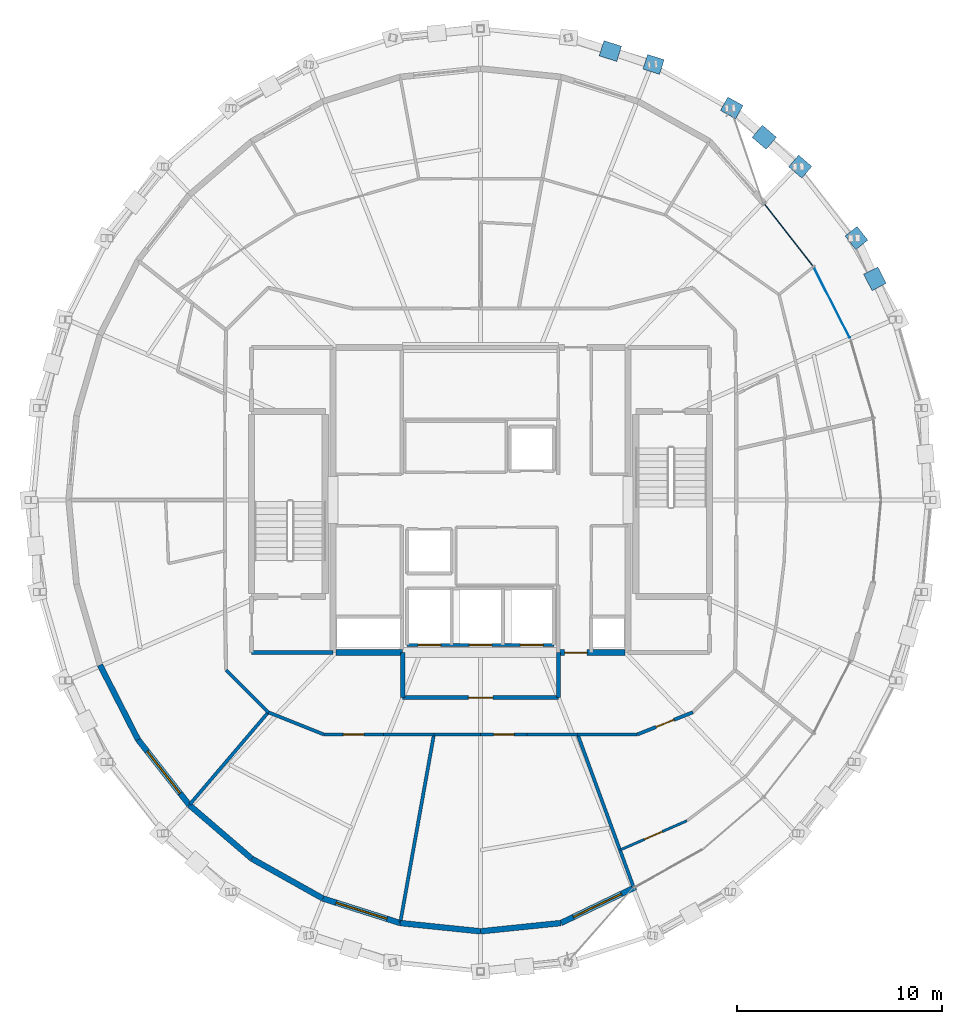
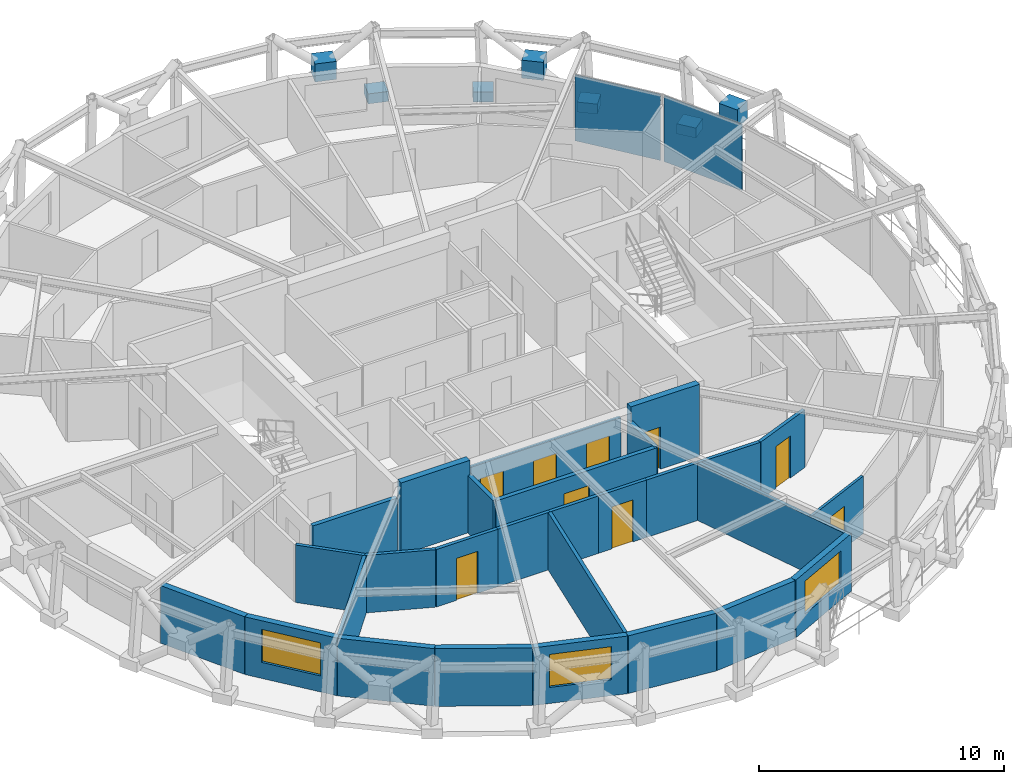
# One storey, part 10 of 15: 28 walls, 9 doors, 9 plates, 3 windows, 12 openings, 1 element without a shape of its own.
"""IFC4 building model written with IfcOpenShell, lengths in metres."""

from ifc_helpers import new_model, si_unit, direction, frame, frame_2d, origin, origin_2d, place, context, subcontext, project, spatial, rectangle, extrude, material, layer, layer_set, type_object, element, fill, aggregate, save


model = new_model("IFC4")

# Units and contexts
model_context = context("Model", 3, precision=1e-05, world=origin(), true_north=direction((0.0, 1.0)))
body_context = subcontext(model_context, "Body", "Model", "MODEL_VIEW")
ifc_project = project(units=[si_unit("LENGTHUNIT", "METRE"), si_unit("AREAUNIT", "SQUARE_METRE"), si_unit("VOLUMEUNIT", "CUBIC_METRE"), si_unit("PLANEANGLEUNIT", "RADIAN"), si_unit("MASSUNIT", "GRAM", prefix="KILO")], contexts=[model_context])

# Site, building, storey
site_placement = place(None, origin())
site = spatial("IfcSite", under=ifc_project, at=site_placement, CompositionType="ELEMENT")
building_placement = place(site_placement, origin())
building = spatial("IfcBuilding", under=site, at=building_placement, Name="Veldorina Hangang Commons", CompositionType="ELEMENT")
storey_placement = place(building_placement, frame((0.0, 0.0, 261.60009765625)))
storey = spatial("IfcBuildingStorey", under=building, at=storey_placement, Name="L68", CompositionType="ELEMENT", Elevation=261.60009765625)

# Curtain wall, plates
ifc_material_1 = material(Name="Glass Low-E Selective", Category="glass")
ifc_layer_1 = layer(ifc_material_1, 0.179931640625)
ifc_layer_set_1 = layer_set([ifc_layer_1], Name="Glass Low-E Selective")
curtain_wall_type = type_object("IfcCurtainWallType", Name="CW-SYS-Z3", PredefinedType="NOTDEFINED", material=ifc_layer_set_1)
curtain_wall_placement = place(storey_placement, origin())
curtain_wall = element("IfcCurtainWall", 1, at=curtain_wall_placement, inside=storey, type_object=curtain_wall_type, Name="L68 unitised curtain wall CW-L68-R2", PredefinedType="NOTDEFINED")
ifc_material_2 = material(Name="Glass Low-E Triple IGU", Category="glass")
ifc_layer_2 = layer(ifc_material_2, 0.0400390625)
ifc_layer_set_2 = layer_set([ifc_layer_2], Name="Glass Low-E Triple IGU")
plate_type_1 = type_object("IfcPlateType", Name="CW-PNL-VIS", PredefinedType="CURTAIN_PANEL", material=ifc_layer_set_2)
plate_1_placement = place(storey_placement, frame((49.1630859375, 33.61767578125, 0.014892578125), z_axis=(0.0, 0.0, 1.0), x_axis=(-0.454223749141, 0.890887639221, 0.0)))
plate_1 = element("IfcPlate", 2, at=plate_1_placement, type_object=plate_type_1, Name="CW-L68-R2 facet 4 glazed vision panel", PredefinedType="CURTAIN_PANEL", context=body_context, shape_type="SweptSolid", body=[
    extrude(rectangle(XDim=3.798583984375, YDim=0.0400390625, at=origin_2d()), origin(), (0.0, 0.0, 1.0), 3.2900390625),
])
plate_2_placement = place(storey_placement, frame((47.04345703125, 36.943115234375, 0.014892578125), z_axis=(0.0, 0.0, 1.0), x_axis=(-0.616431370541, 0.787408639407, 0.0)))
plate_2 = element("IfcPlate", 3, at=plate_2_placement, type_object=plate_type_1, Name="CW-L68-R2 facet 5 glazed vision panel", PredefinedType="CURTAIN_PANEL", context=body_context, shape_type="SweptSolid", body=[
    extrude(rectangle(XDim=3.765380859375, YDim=0.0400390625, at=origin_2d()), origin(), (0.0, 0.0, 1.0), 3.2900390625),
])
aggregate(curtain_wall, [plate_1, plate_2])

# Plates
ifc_material_3 = material(Name="Steel SM460-TMC", Category="steel")
ifc_layer_3 = layer(ifc_material_3, 0.035888671875)
ifc_layer_set_3 = layer_set([ifc_layer_3], Name="Steel SM460-TMC")
plate_type_2 = type_object("IfcPlateType", Name="PL-STAR-36", PredefinedType="USERDEFINED", material=ifc_layer_set_3)
plate_3_placement = place(storey_placement, frame((51.257080078125, 34.799560546875, 1.3525390625), z_axis=(0.0, 0.0, 1.0), x_axis=(-0.456104154477, 0.889926401602, 0.0)))
element("IfcPlate", 4, at=plate_3_placement, inside=storey, type_object=plate_type_2, Name="L68 diagrid X-crossing star-node gusset plate 02", ObjectType="GUSSET PLATE", PredefinedType="USERDEFINED", context=body_context, shape_type="SweptSolid", body=[
    extrude(rectangle(XDim=0.89990234375, YDim=0.780029296875, at=origin_2d()), origin(), (0.0, 0.0, 1.0), 0.89990234375),
])
for number, where, z_axis, x_axis, name in (
    (5, (50.354736328125, 36.789794921875, -0.090087890625), (0.0, 0.0, 1.0), (-0.618422111054, 0.785846099793, 0.0), "L68 diagrid star-node gusset plate 03"),
    (6, (47.609619140625, 40.2783203125, -0.090087890625), (0.0, 0.0, 1.0), (-0.759736797162, 0.650230727541, 0.0), "L68 diagrid star-node gusset plate 04"),
):
    element("IfcPlate", number, at=place(storey_placement, frame(where, z_axis=z_axis, x_axis=x_axis)), inside=storey, type_object=plate_type_2, Name=name, ObjectType="GUSSET PLATE", PredefinedType="USERDEFINED", context=body_context, shape_type="SweptSolid", body=[
        extrude(rectangle(XDim=0.85009765625, YDim=0.75, at=origin_2d()), origin(), (0.0, 0.0, 1.0), 0.5),
    ])
plate_4_placement = place(storey_placement, frame((45.852783203125, 41.710205078125, 1.356689453125), z_axis=(0.0, 0.0, 1.0), x_axis=(-0.759736797162, 0.650230727541, 0.0)))
element("IfcPlate", 7, at=plate_4_placement, inside=storey, type_object=plate_type_2, Name="L68 diagrid X-crossing star-node gusset plate 04", ObjectType="GUSSET PLATE", PredefinedType="USERDEFINED", context=body_context, shape_type="SweptSolid", body=[
    extrude(rectangle(XDim=0.89990234375, YDim=0.780029296875, at=origin_2d()), origin(), (0.0, 0.0, 1.0), 0.89990234375),
])
for number, where, z_axis, x_axis, name in (
    (8, (44.264404296875, 43.141357421875, -0.090087890625), (0.0, 0.0, 1.0), (-0.873466477048, 0.486884291668, 0.0), "L68 diagrid star-node gusset plate 05"),
    (9, (40.44775390625, 45.268798828125, -0.090087890625), (0.0, 0.0, 1.0), (-0.953427854537, 0.301621163369, 0.0), "L68 diagrid star-node gusset plate 06"),
):
    element("IfcPlate", number, at=place(storey_placement, frame(where, z_axis=z_axis, x_axis=x_axis)), inside=storey, type_object=plate_type_2, Name=name, ObjectType="GUSSET PLATE", PredefinedType="USERDEFINED", context=body_context, shape_type="SweptSolid", body=[
        extrude(rectangle(XDim=0.85009765625, YDim=0.75, at=origin_2d()), origin(), (0.0, 0.0, 1.0), 0.5),
    ])
plate_5_placement = place(storey_placement, frame((38.337890625, 45.921630859375, 1.3603515625), z_axis=(0.0, 0.0, 1.0), x_axis=(-0.953427854537, 0.301621163369, 0.0)))
element("IfcPlate", 10, at=plate_5_placement, inside=storey, type_object=plate_type_2, Name="L68 diagrid X-crossing star-node gusset plate 06", ObjectType="GUSSET PLATE", PredefinedType="USERDEFINED", context=body_context, shape_type="SweptSolid", body=[
    extrude(rectangle(XDim=0.89990234375, YDim=0.780029296875, at=origin_2d()), origin(), (0.0, 0.0, 1.0), 0.89990234375),
])

# Wall
ifc_material_4 = material(Name="Concrete C50/60", Category="concrete")
ifc_layer_4 = layer(ifc_material_4, 0.300048828125)
ifc_layer_set_4 = layer_set([ifc_layer_4], Name="Concrete C50/60")
wall_type_1 = type_object("IfcWallType", Name="CW-RC300-C50", PredefinedType="SHEAR", material=ifc_layer_set_4)
wall_1_placement = place(storey_placement, frame((24.949951171875, 16.550048828125, 0.0), z_axis=(0.0, 0.0, 1.0), x_axis=(1.0, 0.0, 0.0)))
element("IfcWall", 11, at=wall_1_placement, inside=storey, type_object=wall_type_1, Name="L68 south-west core shear wall", PredefinedType="SHEAR", context=body_context, shape_type="SweptSolid", body=[
    extrude(rectangle(XDim=3.25, YDim=0.300048828125, at=frame_2d((1.625, 0.0))), origin(), (0.0, 0.0, 1.0), 3.599853515625),
])

# Wall, opening, door
wall_2_placement = place(storey_placement, frame((35.800048828125, 16.550048828125, 0.0), z_axis=(0.0, 0.0, 1.0), x_axis=(1.0, 0.0, 0.0)))
wall_2 = element("IfcWall", 12, at=wall_2_placement, inside=storey, type_object=wall_type_1, Name="L68 south-east core shear wall", PredefinedType="SHEAR", context=body_context, shape_type="SweptSolid", body=[
    extrude(rectangle(XDim=3.25, YDim=0.300048828125, at=frame_2d((1.625, 0.0))), origin(), (0.0, 0.0, 1.0), 3.599853515625),
])
opening_1_placement = place(wall_2_placement, frame((0.300048828125, 0.0, 0.0)))
opening_1 = element("IfcOpeningElement", 13, at=opening_1_placement, cuts=wall_2, Name="Opening D-08", PredefinedType="OPENING", context=body_context, shape_type="SweptSolid", body=[
    extrude(rectangle(XDim=1.10009765625, YDim=2.10009765625, at=frame_2d((0.550048828125, 1.050048828125))), frame((0.0, 0.16015625, 0.0), z_axis=(0.0, -1.0, 0.0), x_axis=(1.0, 0.0, 0.0)), (0.0, 0.0, 1.0), 0.320068359375),
])
ifc_material_5 = material(Name="Steel Fire-Rated Smoke Seal", Category="steel")
door_type_1 = type_object("IfcDoorType", Name="DR-FIRE-1100", OperationType="SINGLE_SWING_RIGHT", PredefinedType="DOOR", material=ifc_material_5)
door_1_placement = place(opening_1_placement, origin())
door_1 = element("IfcDoor", 14, at=door_1_placement, inside=storey, type_object=door_type_1, Name="L68 central lift lobby south corridor door", OperationType="SINGLE_SWING_RIGHT", OverallHeight=2.10009765625, OverallWidth=1.10009765625, PredefinedType="DOOR", context=body_context, shape_type="SweptSolid", body=[
    extrude(rectangle(XDim=1.10009765625, YDim=2.10009765625, at=frame_2d((0.550048828125, 1.050048828125))), frame((0.0, 0.02490234375, 0.0), z_axis=(0.0, -1.0, 0.0), x_axis=(1.0, 0.0, 0.0)), (0.0, 0.0, 1.0), 0.050048828125),
])
fill(opening_1, door_1)

# Wall
ifc_material_6 = material(Name="Stone Roman Travertine", Category="masonry")
ifc_layer_5 = layer(ifc_material_6, 0.280029296875)
ifc_layer_set_5 = layer_set([ifc_layer_5], Name="Stone Roman Travertine")
wall_type_2 = type_object("IfcWallType", Name="EW-TRAV-280", PredefinedType="STANDARD", material=ifc_layer_set_5)
wall_3_placement = place(storey_placement, frame((13.416015625, 15.940185546875, 0.0), z_axis=(0.0, 0.0, 1.0), x_axis=(0.454698544749, -0.89064540273, 0.0)))
element("IfcWall", 15, at=wall_3_placement, inside=storey, type_object=wall_type_2, Name="L68 travertine facade wall 18", PredefinedType="STANDARD", context=body_context, shape_type="SweptSolid", body=[
    extrude(rectangle(XDim=4.088134765625, YDim=0.280029296875, at=frame_2d((2.0439453125, 0.0))), origin(), (0.0, 0.0, 1.0), 2.8798828125),
])

# Wall, opening, window
wall_4_placement = place(storey_placement, frame((15.27490234375, 12.299072265625, 0.0), z_axis=(0.0, 0.0, 1.0), x_axis=(0.616903837432, -0.787038534864, 0.0)))
wall_4 = element("IfcWall", 16, at=wall_4_placement, inside=storey, type_object=wall_type_2, Name="L68 travertine facade wall 19", PredefinedType="STANDARD", context=body_context, shape_type="SweptSolid", body=[
    extrude(rectangle(XDim=4.05517578125, YDim=0.280029296875, at=frame_2d((2.027587890625, 0.0))), origin(), (0.0, 0.0, 1.0), 2.8798828125),
])
opening_2_placement = place(wall_4_placement, frame((0.7275390625, 0.0, 0.800048828125)))
opening_2 = element("IfcOpeningElement", 17, at=opening_2_placement, cuts=wall_4, Name="Opening W-02", PredefinedType="OPENING", context=body_context, shape_type="SweptSolid", body=[
    extrude(rectangle(XDim=2.60009765625, YDim=1.64990234375, at=frame_2d((1.300048828125, 0.824951171875))), frame((0.0, 0.14990234375, 0.0), z_axis=(0.0, -1.0, 0.0), x_axis=(1.0, 0.0, 0.0)), (0.0, 0.0, 1.0), 0.300048828125),
])
window_type = type_object("IfcWindowType", Name="WIN-TWR-2600", PartitioningType="SINGLE_PANEL", PredefinedType="WINDOW", material=ifc_material_2)
window_1_placement = place(opening_2_placement, origin())
window_1 = element("IfcWindow", 18, at=window_1_placement, inside=storey, type_object=window_type, Name="L68 facade window 19", OverallHeight=1.64990234375, OverallWidth=2.60009765625, PartitioningType="SINGLE_PANEL", PredefinedType="WINDOW", context=body_context, shape_type="SweptSolid", body=[
    extrude(rectangle(XDim=2.60009765625, YDim=1.64990234375, at=frame_2d((1.300048828125, 0.824951171875))), frame((0.0, 0.030029296875, 0.0), z_axis=(0.0, -1.0, 0.0), x_axis=(1.0, 0.0, 0.0)), (0.0, 0.0, 1.0), 0.06005859375),
])
fill(opening_2, window_1)

# Walls
wall_5_placement = place(storey_placement, frame((17.776611328125, 9.107421875, 0.0), z_axis=(0.0, 0.0, 1.0), x_axis=(0.758458425967, -0.651721425212, 0.0)))
element("IfcWall", 19, at=wall_5_placement, inside=storey, type_object=wall_type_2, Name="L68 travertine facade wall 20", PredefinedType="STANDARD", context=body_context, shape_type="SweptSolid", body=[
    extrude(rectangle(XDim=4.018798828125, YDim=0.280029296875, at=frame_2d((2.00927734375, 0.0))), origin(), (0.0, 0.0, 1.0), 2.8798828125),
])
wall_6_placement = place(storey_placement, frame((20.82470703125, 6.48828125, 0.0), z_axis=(0.0, 0.0, 1.0), x_axis=(0.872627171538, -0.488386956719, 0.0)))
element("IfcWall", 20, at=wall_6_placement, inside=storey, type_object=wall_type_2, Name="L68 travertine facade wall 21", PredefinedType="STANDARD", context=body_context, shape_type="SweptSolid", body=[
    extrude(rectangle(XDim=3.985107421875, YDim=0.280029296875, at=frame_2d((1.99267578125, 0.0))), origin(), (0.0, 0.0, 1.0), 2.8798828125),
])

# Wall, opening, window
wall_7_placement = place(storey_placement, frame((24.30224609375, 4.5419921875, 0.0), z_axis=(0.0, 0.0, 1.0), x_axis=(0.953082762893, -0.302709839741, 0.0)))
wall_7 = element("IfcWall", 21, at=wall_7_placement, inside=storey, type_object=wall_type_2, Name="L68 travertine facade wall 22", PredefinedType="STANDARD", context=body_context, shape_type="SweptSolid", body=[
    extrude(rectangle(XDim=3.959228515625, YDim=0.280029296875, at=frame_2d((1.9794921875, 0.0))), origin(), (0.0, 0.0, 1.0), 2.8798828125),
])
opening_3_placement = place(wall_7_placement, frame((0.6796875, 0.0, 0.800048828125)))
opening_3 = element("IfcOpeningElement", 22, at=opening_3_placement, cuts=wall_7, Name="Opening W-02", PredefinedType="OPENING", context=body_context, shape_type="SweptSolid", body=[
    extrude(rectangle(XDim=2.60009765625, YDim=1.64990234375, at=frame_2d((1.300048828125, 0.824951171875))), frame((0.0, 0.14990234375, 0.0), z_axis=(0.0, -1.0, 0.0), x_axis=(1.0, 0.0, 0.0)), (0.0, 0.0, 1.0), 0.300048828125),
])
window_2_placement = place(opening_3_placement, origin())
window_2 = element("IfcWindow", 23, at=window_2_placement, inside=storey, type_object=window_type, Name="L68 facade window 22", OverallHeight=1.64990234375, OverallWidth=2.60009765625, PartitioningType="SINGLE_PANEL", PredefinedType="WINDOW", context=body_context, shape_type="SweptSolid", body=[
    extrude(rectangle(XDim=2.60009765625, YDim=1.64990234375, at=frame_2d((1.300048828125, 0.824951171875))), frame((0.0, 0.030029296875, 0.0), z_axis=(0.0, -1.0, 0.0), x_axis=(1.0, 0.0, 0.0)), (0.0, 0.0, 1.0), 0.06005859375),
])
fill(opening_3, window_2)

# Walls
for number, where, z_axis, x_axis, name in (
    (24, (28.07568359375, 3.343505859375, 0.0), (0.0, 0.0, 1.0), (0.994722327851, -0.10260355976, 0.0), "L68 travertine facade wall 23"),
    (25, (32.0, 2.938720703125, 0.0), (0.0, 0.0, 1.0), (0.994722327851, 0.10260355976, 0.0), "L68 travertine facade wall 24"),
):
    element("IfcWall", number, at=place(storey_placement, frame(where, z_axis=z_axis, x_axis=x_axis)), inside=storey, type_object=wall_type_2, Name=name, PredefinedType="STANDARD", context=body_context, shape_type="SweptSolid", body=[
        extrude(rectangle(XDim=3.945068359375, YDim=0.280029296875, at=frame_2d((1.97265625, 0.0))), origin(), (0.0, 0.0, 1.0), 2.8798828125),
    ])

# Wall, opening, window
wall_8_placement = place(storey_placement, frame((35.92431640625, 3.343505859375, 0.0), z_axis=(0.0, 0.0, 1.0), x_axis=(0.900783022648, 0.434269439529, 0.0)))
wall_8 = element("IfcWall", 26, at=wall_8_placement, inside=storey, type_object=wall_type_2, Name="L68 travertine facade wall 25", PredefinedType="STANDARD", context=body_context, shape_type="SweptSolid", body=[
    extrude(rectangle(XDim=4.043212890625, YDim=0.280029296875, at=frame_2d((2.021484375, 0.0))), origin(), (0.0, 0.0, 1.0), 2.8798828125),
])
opening_4_placement = place(wall_8_placement, frame((0.675537109375, 0.0, 0.800048828125)))
opening_4 = element("IfcOpeningElement", 27, at=opening_4_placement, cuts=wall_8, Name="Opening W-02", PredefinedType="OPENING", context=body_context, shape_type="SweptSolid", body=[
    extrude(rectangle(XDim=2.60009765625, YDim=1.64990234375, at=frame_2d((1.300048828125, 0.824951171875))), frame((0.0, 0.14990234375, 0.0), z_axis=(0.0, -1.0, 0.0), x_axis=(1.0, 0.0, 0.0)), (0.0, 0.0, 1.0), 0.300048828125),
])
window_3_placement = place(opening_4_placement, origin())
window_3 = element("IfcWindow", 28, at=window_3_placement, inside=storey, type_object=window_type, Name="L68 facade window 25", OverallHeight=1.64990234375, OverallWidth=2.60009765625, PartitioningType="SINGLE_PANEL", PredefinedType="WINDOW", context=body_context, shape_type="SweptSolid", body=[
    extrude(rectangle(XDim=2.60009765625, YDim=1.64990234375, at=frame_2d((1.300048828125, 0.824951171875))), frame((0.0, 0.030029296875, 0.0), z_axis=(0.0, -1.0, 0.0), x_axis=(1.0, 0.0, 0.0)), (0.0, 0.0, 1.0), 0.06005859375),
])
fill(opening_4, window_3)

# Wall, openings, doors
ifc_material_7 = material(Name="Gypsum Fire-Rated Twin Stud Wall", Category="gypsum")
ifc_layer_6 = layer(ifc_material_7, 0.159912109375)
ifc_layer_set_6 = layer_set([ifc_layer_6], Name="Gypsum Fire-Rated Twin Stud Wall")
wall_type_3 = type_object("IfcWallType", Name="WL-FIRE-160", PredefinedType="SOLIDWALL", material=ifc_layer_set_6)
wall_9_placement = place(storey_placement, frame((28.419921875, 16.919921875, 0.0), z_axis=(0.0, 0.0, 1.0), x_axis=(1.0, 0.0, 0.0)))
wall_9 = element("IfcWall", 29, at=wall_9_placement, inside=storey, type_object=wall_type_3, Name="L68 Emergency front shaft wall 023", PredefinedType="SOLIDWALL", context=body_context, shape_type="SweptSolid", body=[
    extrude(rectangle(XDim=7.16015625, YDim=0.159912109375, at=frame_2d((3.580078125, 0.0))), origin(), (0.0, 0.0, 1.0), 2.869873046875),
])
opening_5_placement = place(wall_9_placement, frame((0.530029296875, 0.0, 0.0)))
opening_5 = element("IfcOpeningElement", 30, at=opening_5_placement, cuts=wall_9, Name="Opening LD-03", PredefinedType="OPENING", context=body_context, shape_type="SweptSolid", body=[
    extrude(rectangle(XDim=1.10009765625, YDim=2.14990234375, at=frame_2d((0.550048828125, 1.074951171875))), frame((0.0, 0.08984375, 0.0), z_axis=(0.0, -1.0, 0.0), x_axis=(1.0, 0.0, 0.0)), (0.0, 0.0, 1.0), 0.179931640625),
])
opening_6_placement = place(wall_9_placement, frame((3.030029296875, 0.0, 0.0)))
opening_6 = element("IfcOpeningElement", 31, at=opening_6_placement, cuts=wall_9, Name="Opening LD-03", PredefinedType="OPENING", context=body_context, shape_type="SweptSolid", body=[
    extrude(rectangle(XDim=1.10009765625, YDim=2.14990234375, at=frame_2d((0.550048828125, 1.074951171875))), frame((0.0, 0.08984375, 0.0), z_axis=(0.0, -1.0, 0.0), x_axis=(1.0, 0.0, 0.0)), (0.0, 0.0, 1.0), 0.179931640625),
])
opening_7_placement = place(wall_9_placement, frame((5.530029296875, 0.0, 0.0)))
opening_7 = element("IfcOpeningElement", 32, at=opening_7_placement, cuts=wall_9, Name="Opening LD-03", PredefinedType="OPENING", context=body_context, shape_type="SweptSolid", body=[
    extrude(rectangle(XDim=1.10009765625, YDim=2.14990234375, at=frame_2d((0.550048828125, 1.074951171875))), frame((0.0, 0.08984375, 0.0), z_axis=(0.0, -1.0, 0.0), x_axis=(1.0, 0.0, 0.0)), (0.0, 0.0, 1.0), 0.179931640625),
])
ifc_material_8 = material(Name="Stainless Steel Firefighting Lift Door", Category="steel")
door_type_2 = type_object("IfcDoorType", Name="DR-LIFT-FF1100", OperationType="SLIDING_TO_RIGHT", PredefinedType="DOOR", material=ifc_material_8)
door_2_placement = place(opening_5_placement, origin())
door_2 = element("IfcDoor", 33, at=door_2_placement, inside=storey, type_object=door_type_2, Name="L68 Emergency lift FFL-1 landing door 008", OperationType="SLIDING_TO_RIGHT", OverallHeight=2.14990234375, OverallWidth=1.10009765625, PredefinedType="DOOR", context=body_context, shape_type="SweptSolid", body=[
    extrude(rectangle(XDim=1.10009765625, YDim=2.14990234375, at=frame_2d((0.550048828125, 1.074951171875))), frame((0.0, 0.02490234375, 0.0), z_axis=(0.0, -1.0, 0.0), x_axis=(1.0, 0.0, 0.0)), (0.0, 0.0, 1.0), 0.050048828125),
])
fill(opening_5, door_2)
door_3_placement = place(opening_6_placement, origin())
door_3 = element("IfcDoor", 34, at=door_3_placement, inside=storey, type_object=door_type_2, Name="L68 Emergency lift FFL-2 landing door 009", OperationType="SLIDING_TO_RIGHT", OverallHeight=2.14990234375, OverallWidth=1.10009765625, PredefinedType="DOOR", context=body_context, shape_type="SweptSolid", body=[
    extrude(rectangle(XDim=1.10009765625, YDim=2.14990234375, at=frame_2d((0.550048828125, 1.074951171875))), frame((0.0, 0.02490234375, 0.0), z_axis=(0.0, -1.0, 0.0), x_axis=(1.0, 0.0, 0.0)), (0.0, 0.0, 1.0), 0.050048828125),
])
fill(opening_6, door_3)
door_4_placement = place(opening_7_placement, origin())
door_4 = element("IfcDoor", 35, at=door_4_placement, inside=storey, type_object=door_type_2, Name="L68 Emergency lift EVL-1 landing door 010", OperationType="SLIDING_TO_RIGHT", OverallHeight=2.14990234375, OverallWidth=1.10009765625, PredefinedType="DOOR", context=body_context, shape_type="SweptSolid", body=[
    extrude(rectangle(XDim=1.10009765625, YDim=2.14990234375, at=frame_2d((0.550048828125, 1.074951171875))), frame((0.0, 0.02490234375, 0.0), z_axis=(0.0, -1.0, 0.0), x_axis=(1.0, 0.0, 0.0)), (0.0, 0.0, 1.0), 0.050048828125),
])
fill(opening_7, door_4)

# Walls
wall_10_placement = place(storey_placement, frame((19.5732421875, 15.69677734375, 0.0), z_axis=(0.0, 0.0, 1.0), x_axis=(0.707106781187, -0.707106781187, 0.0)))
element("IfcWall", 36, at=wall_10_placement, inside=storey, type_object=wall_type_3, Name="L68 Compact collar outer wall 19 069", PredefinedType="SOLIDWALL", context=body_context, shape_type="SweptSolid", body=[
    extrude(rectangle(XDim=2.915771484375, YDim=0.159912109375, at=frame_2d((1.4580078125, 0.0))), origin(), (0.0, 0.0, 1.0), 2.869873046875),
])
wall_11_placement = place(storey_placement, frame((21.635009765625, 13.635009765625, 0.0), z_axis=(0.0, 0.0, 1.0), x_axis=(0.92856882165, -0.371160266542, 0.0)))
element("IfcWall", 37, at=wall_11_placement, inside=storey, type_object=wall_type_3, Name="L68 Compact collar outer wall 20 070", PredefinedType="SOLIDWALL", context=body_context, shape_type="SweptSolid", body=[
    extrude(rectangle(XDim=2.923095703125, YDim=0.159912109375, at=frame_2d((1.46142578125, 0.0))), origin(), (0.0, 0.0, 1.0), 2.869873046875),
])

# Wall, opening, door
wall_12_placement = place(storey_placement, frame((24.349365234375, 12.550048828125, 0.0), z_axis=(0.0, 0.0, 1.0), x_axis=(1.0, 0.0, 0.0)))
wall_12 = element("IfcWall", 38, at=wall_12_placement, inside=storey, type_object=wall_type_3, Name="L68 Compact collar outer wall 21 071", PredefinedType="SOLIDWALL", context=body_context, shape_type="SweptSolid", body=[
    extrude(rectangle(XDim=2.907958984375, YDim=0.159912109375, at=frame_2d((1.4541015625, 0.0))), origin(), (0.0, 0.0, 1.0), 2.869873046875),
])
opening_8_placement = place(wall_12_placement, frame((0.9541015625, 0.0, 0.0)))
opening_8 = element("IfcOpeningElement", 39, at=opening_8_placement, cuts=wall_12, Name="Opening D-05", PredefinedType="OPENING", context=body_context, shape_type="SweptSolid", body=[
    extrude(rectangle(XDim=1.0, YDim=2.10009765625, at=frame_2d((0.5, 1.050048828125))), frame((0.0, 0.08984375, 0.0), z_axis=(0.0, -1.0, 0.0), x_axis=(1.0, 0.0, 0.0)), (0.0, 0.0, 1.0), 0.179931640625),
])
ifc_material_9 = material(Name="Timber Solid Core Acoustic", Category="wood")
door_type_3 = type_object("IfcDoorType", Name="DR-INT-1000", OperationType="SINGLE_SWING_RIGHT", PredefinedType="DOOR", material=ifc_material_9)
door_5_placement = place(opening_8_placement, origin())
door_5 = element("IfcDoor", 40, at=door_5_placement, inside=storey, type_object=door_type_3, Name="L68 Floor Study Room 6 door 034", OperationType="SINGLE_SWING_RIGHT", OverallHeight=2.10009765625, OverallWidth=1.0, PredefinedType="DOOR", context=body_context, shape_type="SweptSolid", body=[
    extrude(rectangle(XDim=1.0, YDim=2.10009765625, at=frame_2d((0.5, 1.050048828125))), frame((0.0, 0.02490234375, 0.0), z_axis=(0.0, -1.0, 0.0), x_axis=(1.0, 0.0, 0.0)), (0.0, 0.0, 1.0), 0.050048828125),
])
fill(opening_8, door_5)

# Walls
wall_13_placement = place(storey_placement, frame((27.25732421875, 12.550048828125, 0.0), z_axis=(0.0, 0.0, 1.0), x_axis=(1.0, 0.0, 0.0)))
element("IfcWall", 41, at=wall_13_placement, inside=storey, type_object=wall_type_3, Name="L68 Compact collar outer wall 22 072", PredefinedType="SOLIDWALL", context=body_context, shape_type="SweptSolid", body=[
    extrude(rectangle(XDim=2.465087890625, YDim=0.159912109375, at=frame_2d((1.232421875, 0.0))), origin(), (0.0, 0.0, 1.0), 2.869873046875),
])
wall_14_placement = place(storey_placement, frame((29.722412109375, 12.550048828125, 0.0), z_axis=(0.0, 0.0, 1.0), x_axis=(1.0, 0.0, 0.0)))
element("IfcWall", 42, at=wall_14_placement, inside=storey, type_object=wall_type_3, Name="L68 Compact collar outer wall 23 073", PredefinedType="SOLIDWALL", context=body_context, shape_type="SweptSolid", body=[
    extrude(rectangle(XDim=2.277587890625, YDim=0.159912109375, at=frame_2d((1.138671875, 0.0))), origin(), (0.0, 0.0, 1.0), 2.869873046875),
])

# Wall, opening, door
wall_15_placement = place(storey_placement, frame((32.0, 12.550048828125, 0.0), z_axis=(0.0, 0.0, 1.0), x_axis=(1.0, 0.0, 0.0)))
wall_15 = element("IfcWall", 43, at=wall_15_placement, inside=storey, type_object=wall_type_3, Name="L68 Compact collar outer wall 24 074", PredefinedType="SOLIDWALL", context=body_context, shape_type="SweptSolid", body=[
    extrude(rectangle(XDim=2.277587890625, YDim=0.159912109375, at=frame_2d((1.138671875, 0.0))), origin(), (0.0, 0.0, 1.0), 2.869873046875),
])
opening_9_placement = place(wall_15_placement, frame((0.638671875, 0.0, 0.0)))
opening_9 = element("IfcOpeningElement", 44, at=opening_9_placement, cuts=wall_15, Name="Opening D-05", PredefinedType="OPENING", context=body_context, shape_type="SweptSolid", body=[
    extrude(rectangle(XDim=1.0, YDim=2.10009765625, at=frame_2d((0.5, 1.050048828125))), frame((0.0, 0.08984375, 0.0), z_axis=(0.0, -1.0, 0.0), x_axis=(1.0, 0.0, 0.0)), (0.0, 0.0, 1.0), 0.179931640625),
])
door_6_placement = place(opening_9_placement, origin())
door_6 = element("IfcDoor", 45, at=door_6_placement, inside=storey, type_object=door_type_3, Name="L68 Seminar Focus Room 7 door 035", OperationType="SINGLE_SWING_LEFT", OverallHeight=2.10009765625, OverallWidth=1.0, PredefinedType="DOOR", context=body_context, shape_type="SweptSolid", body=[
    extrude(rectangle(XDim=1.0, YDim=2.10009765625, at=frame_2d((0.5, 1.050048828125))), frame((0.0, 0.02490234375, 0.0), z_axis=(0.0, -1.0, 0.0), x_axis=(1.0, 0.0, 0.0)), (0.0, 0.0, 1.0), 0.050048828125),
])
fill(opening_9, door_6)

# Walls
wall_16_placement = place(storey_placement, frame((34.277587890625, 12.550048828125, 0.0), z_axis=(0.0, 0.0, 1.0), x_axis=(1.0, 0.0, 0.0)))
element("IfcWall", 46, at=wall_16_placement, inside=storey, type_object=wall_type_3, Name="L68 Compact collar outer wall 25 075", PredefinedType="SOLIDWALL", context=body_context, shape_type="SweptSolid", body=[
    extrude(rectangle(XDim=2.465087890625, YDim=0.159912109375, at=frame_2d((1.232421875, 0.0))), origin(), (0.0, 0.0, 1.0), 2.869873046875),
])
wall_17_placement = place(storey_placement, frame((36.74267578125, 12.550048828125, 0.0), z_axis=(0.0, 0.0, 1.0), x_axis=(1.0, 0.0, 0.0)))
element("IfcWall", 47, at=wall_17_placement, inside=storey, type_object=wall_type_3, Name="L68 Compact collar outer wall 26 076", PredefinedType="SOLIDWALL", context=body_context, shape_type="SweptSolid", body=[
    extrude(rectangle(XDim=2.907958984375, YDim=0.159912109375, at=frame_2d((1.4541015625, 0.0))), origin(), (0.0, 0.0, 1.0), 2.869873046875),
])

# Wall, opening, door
wall_18_placement = place(storey_placement, frame((39.650634765625, 12.550048828125, 0.0), z_axis=(0.0, 0.0, 1.0), x_axis=(0.92856882165, 0.371160266542, 0.0)))
wall_18 = element("IfcWall", 48, at=wall_18_placement, inside=storey, type_object=wall_type_3, Name="L68 Compact collar outer wall 27 077", PredefinedType="SOLIDWALL", context=body_context, shape_type="SweptSolid", body=[
    extrude(rectangle(XDim=2.923095703125, YDim=0.159912109375, at=frame_2d((1.46142578125, 0.0))), origin(), (0.0, 0.0, 1.0), 2.869873046875),
])
opening_10_placement = place(wall_18_placement, frame((0.986572265625, 0.0, 0.0)))
opening_10 = element("IfcOpeningElement", 49, at=opening_10_placement, cuts=wall_18, Name="Opening D-02", PredefinedType="OPENING", context=body_context, shape_type="SweptSolid", body=[
    extrude(rectangle(XDim=0.949951171875, YDim=2.10009765625, at=frame_2d((0.47509765625, 1.050048828125))), frame((0.0, 0.08984375, 0.0), z_axis=(0.0, -1.0, 0.0), x_axis=(1.0, 0.0, 0.0)), (0.0, 0.0, 1.0), 0.179931640625),
])
door_type_4 = type_object("IfcDoorType", Name="DR-INT-950", OperationType="SINGLE_SWING_LEFT", PredefinedType="DOOR", material=ifc_material_9)
door_7_placement = place(opening_10_placement, origin())
door_7 = element("IfcDoor", 50, at=door_7_placement, inside=storey, type_object=door_type_4, Name="L68 Linen drying store door 036", OperationType="SINGLE_SWING_RIGHT", OverallHeight=2.10009765625, OverallWidth=0.949951171875, PredefinedType="DOOR", context=body_context, shape_type="SweptSolid", body=[
    extrude(rectangle(XDim=0.949951171875, YDim=2.10009765625, at=frame_2d((0.47509765625, 1.050048828125))), frame((0.0, 0.02490234375, 0.0), z_axis=(0.0, -1.0, 0.0), x_axis=(1.0, 0.0, 0.0)), (0.0, 0.0, 1.0), 0.050048828125),
])
fill(opening_10, door_7)

# Walls
wall_19_placement = place(storey_placement, frame((21.635009765625, 13.635009765625, 0.0), z_axis=(0.0, 0.0, 1.0), x_axis=(-0.648641435067, -0.761094139193, 0.0)))
element("IfcWall", 51, at=wall_19_placement, inside=storey, type_object=wall_type_3, Name="L68 Unit party wall 20 109", PredefinedType="SOLIDWALL", context=body_context, shape_type="SweptSolid", body=[
    extrude(rectangle(XDim=5.898681640625, YDim=0.159912109375, at=frame_2d((2.94921875, 0.0))), origin(), (0.0, 0.0, 1.0), 2.869873046875),
])
wall_20_placement = place(storey_placement, frame((29.722412109375, 12.550048828125, 0.0), z_axis=(0.0, 0.0, 1.0), x_axis=(-0.176069483701, -0.984377740966, 0.0)))
element("IfcWall", 52, at=wall_20_placement, inside=storey, type_object=wall_type_3, Name="L68 Unit party wall 23 110", PredefinedType="SOLIDWALL", context=body_context, shape_type="SweptSolid", body=[
    extrude(rectangle(XDim=9.302734375, YDim=0.159912109375, at=frame_2d((4.6513671875, 0.0))), origin(), (0.0, 0.0, 1.0), 2.869873046875),
])
wall_21_placement = place(storey_placement, frame((36.74267578125, 12.550048828125, 0.0), z_axis=(0.0, 0.0, 1.0), x_axis=(0.343621947863, -0.939108064574, 0.0)))
element("IfcWall", 53, at=wall_21_placement, inside=storey, type_object=wall_type_3, Name="L68 Unit party wall 26 111", PredefinedType="SOLIDWALL", context=body_context, shape_type="SweptSolid", body=[
    extrude(rectangle(XDim=7.92626953125, YDim=0.159912109375, at=frame_2d((3.963134765625, 0.0))), origin(), (0.0, 0.0, 1.0), 2.869873046875),
])
ifc_material_10 = material(Name="Concrete Blockwork Fire Wall C30/37", Category="masonry")
ifc_layer_7 = layer(ifc_material_10, 0.199951171875)
ifc_layer_set_7 = layer_set([ifc_layer_7], Name="Concrete Blockwork Fire Wall C30/37")
wall_type_4 = type_object("IfcWallType", Name="WL-FIRE-200", PredefinedType="SOLIDWALL", material=ifc_layer_set_7)
wall_22_placement = place(storey_placement, frame((20.820068359375, 16.550048828125, 0.0), z_axis=(0.0, 0.0, 1.0), x_axis=(1.0, 0.0, 0.0)))
element("IfcWall", 54, at=wall_22_placement, inside=storey, type_object=wall_type_4, Name="L68 West vestibule south wall 002", PredefinedType="SOLIDWALL", context=body_context, shape_type="SweptSolid", body=[
    extrude(rectangle(XDim=3.97998046875, YDim=0.199951171875, at=frame_2d((1.989990234375, 0.0))), origin(), (0.0, 0.0, 1.0), 2.869873046875),
])
for number, where, z_axis, x_axis, name in (
    (55, (28.199951171875, 14.35009765625, 0.0), (0.0, 0.0, 1.0), (0.0, 1.0, 0.0), "L68 FF lobby west wall 012"),
    (56, (35.800048828125, 14.35009765625, 0.0), (0.0, 0.0, 1.0), (0.0, 1.0, 0.0), "L68 FF lobby east wall 013"),
):
    element("IfcWall", number, at=place(storey_placement, frame(where, z_axis=z_axis, x_axis=x_axis)), inside=storey, type_object=wall_type_4, Name=name, PredefinedType="SOLIDWALL", context=body_context, shape_type="SweptSolid", body=[
        extrude(rectangle(XDim=2.199951171875, YDim=0.199951171875, at=frame_2d((1.10009765625, 0.0))), origin(), (0.0, 0.0, 1.0), 2.869873046875),
    ])

# Wall, opening, door
wall_23_placement = place(storey_placement, frame((28.199951171875, 14.35009765625, 0.0), z_axis=(0.0, 0.0, 1.0), x_axis=(1.0, 0.0, 0.0)))
wall_23 = element("IfcWall", 57, at=wall_23_placement, inside=storey, type_object=wall_type_4, Name="L68 FF lobby south wall 014", PredefinedType="SOLIDWALL", context=body_context, shape_type="SweptSolid", body=[
    extrude(rectangle(XDim=7.60009765625, YDim=0.199951171875, at=frame_2d((3.800048828125, 0.0))), origin(), (0.0, 0.0, 1.0), 2.869873046875),
])
opening_11_placement = place(wall_23_placement, frame((3.199951171875, 0.0, 0.0)))
opening_11 = element("IfcOpeningElement", 58, at=opening_11_placement, cuts=wall_23, Name="Opening D-09", PredefinedType="OPENING", context=body_context, shape_type="SweptSolid", body=[
    extrude(rectangle(XDim=1.199951171875, YDim=2.10009765625, at=frame_2d((0.60009765625, 1.050048828125))), frame((0.0, 0.10986328125, 0.0), z_axis=(0.0, -1.0, 0.0), x_axis=(1.0, 0.0, 0.0)), (0.0, 0.0, 1.0), 0.219970703125),
])
ifc_material_11 = material(Name="Steel Fire-Rated Corridor Door", Category="steel")
door_type_5 = type_object("IfcDoorType", Name="DR-FIRE-1200", OperationType="SINGLE_SWING_LEFT", PredefinedType="DOOR", material=ifc_material_11)
door_8_placement = place(opening_11_placement, origin())
door_8 = element("IfcDoor", 59, at=door_8_placement, inside=storey, type_object=door_type_5, Name="L68 FF lobby south corridor door 005", OperationType="SINGLE_SWING_LEFT", OverallHeight=2.10009765625, OverallWidth=1.199951171875, PredefinedType="DOOR", context=body_context, shape_type="SweptSolid", body=[
    extrude(rectangle(XDim=1.199951171875, YDim=2.10009765625, at=frame_2d((0.60009765625, 1.050048828125))), frame((0.0, 0.02490234375, 0.0), z_axis=(0.0, -1.0, 0.0), x_axis=(1.0, 0.0, 0.0)), (0.0, 0.0, 1.0), 0.050048828125),
])
fill(opening_11, door_8)

ifc_material_12 = material(Name="Gypsum Acoustic Stud Partition", Category="gypsum")
ifc_layer_8 = layer(ifc_material_12, 0.1201171875)
ifc_layer_set_8 = layer_set([ifc_layer_8], Name="Gypsum Acoustic Stud Partition")
wall_type_5 = type_object("IfcWallType", Name="WL-PART-120", PredefinedType="PARTITIONING", material=ifc_layer_set_8)
wall_24_placement = place(storey_placement, frame((38.807373046875, 6.9072265625, 0.0), z_axis=(0.0, 0.0, 1.0), x_axis=(0.916231246175, 0.400649851532, 0.0)))
wall_24 = element("IfcWall", 60, at=wall_24_placement, inside=storey, type_object=wall_type_5, Name="L68 Laundry split 0 112", PredefinedType="PARTITIONING", context=body_context, shape_type="SweptSolid", body=[
    extrude(rectangle(XDim=3.562255859375, YDim=0.1201171875, at=frame_2d((1.78125, 0.0))), origin(), (0.0, 0.0, 1.0), 2.869873046875),
])
opening_12_placement = place(wall_24_placement, frame((1.30615234375, 0.0, 0.0)))
opening_12 = element("IfcOpeningElement", 61, at=opening_12_placement, cuts=wall_24, Name="Opening D-02", PredefinedType="OPENING", context=body_context, shape_type="SweptSolid", body=[
    extrude(rectangle(XDim=0.949951171875, YDim=2.10009765625, at=frame_2d((0.47509765625, 1.050048828125))), frame((0.0, 0.070068359375, 0.0), z_axis=(0.0, -1.0, 0.0), x_axis=(1.0, 0.0, 0.0)), (0.0, 0.0, 1.0), 0.14013671875),
])
door_9_placement = place(opening_12_placement, origin())
door_9 = element("IfcDoor", 62, at=door_9_placement, inside=storey, type_object=door_type_4, Name="L68 Resident laundry inner door 037", OperationType="SINGLE_SWING_LEFT", OverallHeight=2.10009765625, OverallWidth=0.949951171875, PredefinedType="DOOR", context=body_context, shape_type="SweptSolid", body=[
    extrude(rectangle(XDim=0.949951171875, YDim=2.10009765625, at=frame_2d((0.47509765625, 1.050048828125))), frame((0.0, 0.02490234375, 0.0), z_axis=(0.0, -1.0, 0.0), x_axis=(1.0, 0.0, 0.0)), (0.0, 0.0, 1.0), 0.050048828125),
])
fill(opening_12, door_9)

save(model, "model.ifc")
